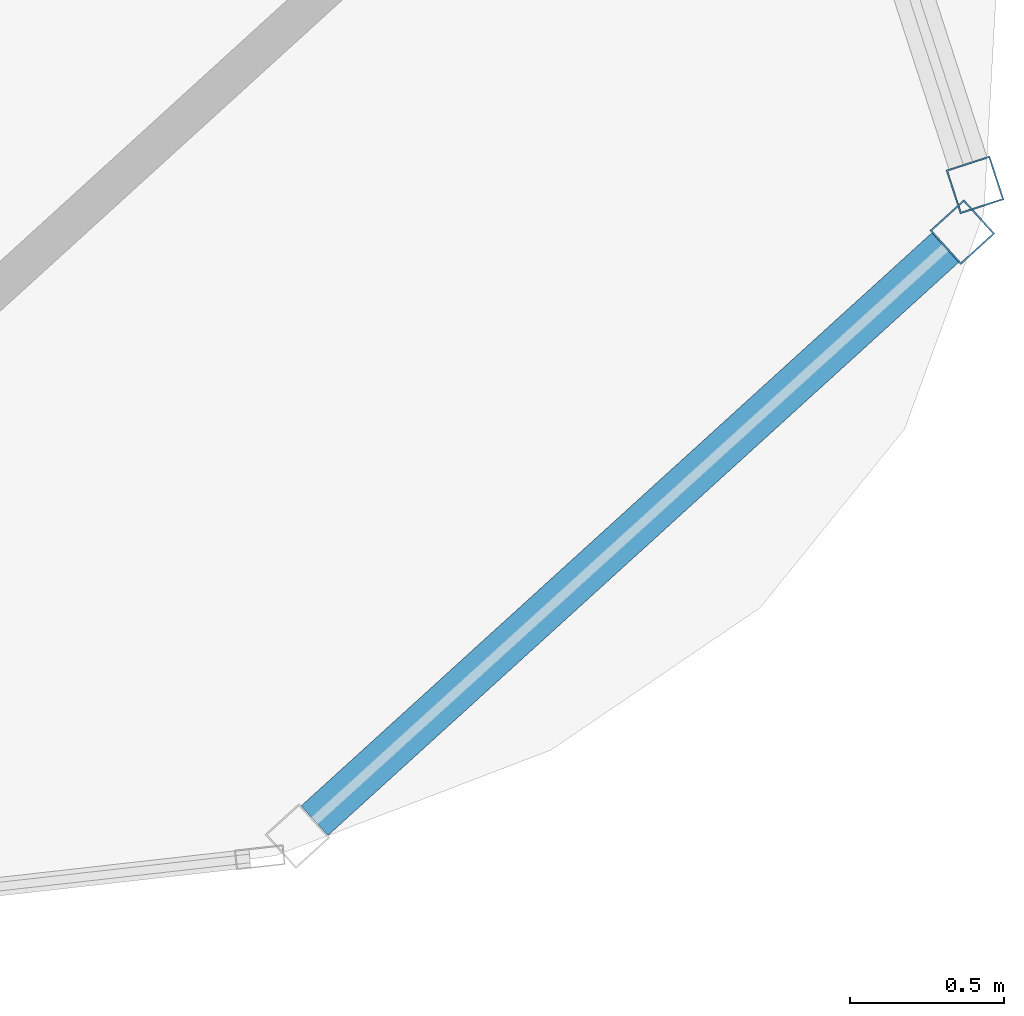
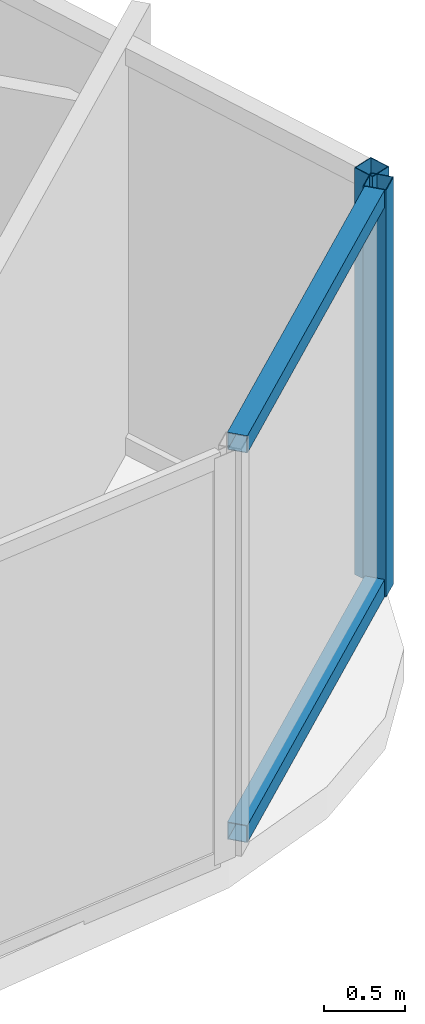
# One storey, part 16 of 33: 4 members, 2 elements without a shape of their own.
"""IFC4 building model written with IfcOpenShell, lengths in metres."""

import ifcopenshell
import ifcopenshell.guid

model = None  # the IFC model being written
_history = None  # IfcOwnerHistory: only IFC2X3 demands one
_inside = {}  # id of a spatial element -> (the spatial element, [elements in it])
_under = {}  # id of a project, library or spatial element -> (it, [spatial elements below it])
_declared = {}  # id of a project -> (the project, [libraries it declares])
_typed = {}  # id of a type object -> (the type object, [elements of that type])
_made_of = {}  # id of a material, layer set ... -> (it, [elements and type objects made of it])


def new_model(schema):
    """Start an empty IFC model of exactly this schema.

    Asked for "IFC4X3", IfcOpenShell would pick the latest addendum, in which some entities
    have other attributes; the version numbers below select the first issue.
    IFC2X3 requires an IfcOwnerHistory on every rooted entity: one is made here for all.
    """
    global model, _history
    if schema == "IFC4X3":
        model = ifcopenshell.file(schema_version=(4, 3, 0, 0))
    else:
        model = ifcopenshell.file(schema=schema)
    _inside.clear()
    _under.clear()
    _declared.clear()
    _typed.clear()
    _made_of.clear()
    _history = None
    if model.schema == "IFC2X3":
        org = make("IfcOrganization", Name="unknown")
        user = make(
            "IfcPersonAndOrganization",
            ThePerson=make("IfcPerson", FamilyName="unknown"),
            TheOrganization=org,
        )
        app = make(
            "IfcApplication",
            ApplicationDeveloper=org,
            Version="unknown",
            ApplicationFullName="unknown",
            ApplicationIdentifier="unknown",
        )
        _history = make(
            "IfcOwnerHistory",
            OwningUser=user,
            OwningApplication=app,
            ChangeAction="ADDED",
            CreationDate=0,
        )
    return model


def make(cls, **values):
    """One entity of the class cls with the attributes given. An attribute that is None is left unset."""
    return model.create_entity(
        cls, **{name: value for name, value in values.items() if value is not None}
    )


def rooted(cls, **values):
    """An entity with a GlobalId (a new one), such as an element, a storey or a relation."""
    return make(cls, GlobalId=ifcopenshell.guid.new(), OwnerHistory=_history, **values)


def si_unit(unit_type, name, prefix=None):
    """IfcSIUnit, for example si_unit("LENGTHUNIT", "METRE", prefix="MILLI")."""
    return make("IfcSIUnit", UnitType=unit_type, Prefix=prefix, Name=name)


def assignment(units):
    """IfcUnitAssignment: the units of a project."""
    return None if units is None else make("IfcUnitAssignment", Units=units)


def point(xyz):
    """IfcCartesianPoint."""
    return None if xyz is None else make("IfcCartesianPoint", Coordinates=xyz)


def direction(xyz):
    """IfcDirection."""
    return None if xyz is None else make("IfcDirection", DirectionRatios=xyz)


def frame(location, z_axis=None, x_axis=None):
    """IfcAxis2Placement3D, a coordinate frame: its origin and axes. An axis left out is left unset."""
    return make(
        "IfcAxis2Placement3D",
        Location=point(location),
        Axis=direction(z_axis),
        RefDirection=direction(x_axis),
    )


def frame_2d(location, x_axis=None):
    """IfcAxis2Placement2D, a coordinate frame in the plane: its origin and x axis."""
    return make(
        "IfcAxis2Placement2D", Location=point(location), RefDirection=direction(x_axis)
    )


def origin():
    """The frame at (0, 0, 0) with its axes left unset."""
    return frame((0.0, 0.0, 0.0))


def origin_2d():
    """The frame at (0, 0) in the plane with its x axis left unset."""
    return frame_2d((0.0, 0.0))


def place(relative_to, where):
    """IfcLocalPlacement: puts the frame where relative to a parent placement (None: the world)."""
    return make(
        "IfcLocalPlacement", PlacementRelTo=relative_to, RelativePlacement=where
    )


def context(
    kind, dimensions, precision=None, world=None, true_north=None, identifier=None
):
    """IfcGeometricRepresentationContext, for example the 3D "Model" context."""
    return make(
        "IfcGeometricRepresentationContext",
        ContextIdentifier=identifier,
        ContextType=kind,
        CoordinateSpaceDimension=dimensions,
        Precision=precision,
        WorldCoordinateSystem=world,
        TrueNorth=true_north,
    )


def subcontext(parent, identifier, kind, view, scale=None):
    """IfcGeometricRepresentationSubContext, for example "Body" below "Model"."""
    return make(
        "IfcGeometricRepresentationSubContext",
        ContextIdentifier=identifier,
        ContextType=kind,
        ParentContext=parent,
        TargetScale=scale,
        TargetView=view,
    )


def project(units=None, contexts=None):
    """IfcProject with its units and contexts."""
    return rooted(
        "IfcProject",
        Name="project",
        RepresentationContexts=contexts,
        UnitsInContext=assignment(units),
    )


def spatial(cls, under=None, at=None, **own):
    """A site, building, storey or space (cls), placed at a placement, below another one or the project."""
    s = rooted(cls, ObjectPlacement=at, **own)
    if under is not None:
        _under.setdefault(under.id(), (under, []))[1].append(s)
    return s


def profile(cls, at=None, kind="AREA", **sizes):
    """A parametric profile (cls). Its sizes go by their IFC names, for example OverallWidth=200.0."""
    return make(cls, ProfileType=kind, Position=at, **sizes)


def hollow_rectangle(**sizes):
    """IfcRectangleHollowProfileDef."""
    return profile("IfcRectangleHollowProfileDef", **sizes)


def extrude(swept, where, along, depth):
    """IfcExtrudedAreaSolid: the profile swept, set in the frame where, extruded along a direction by depth."""
    return make(
        "IfcExtrudedAreaSolid",
        SweptArea=swept,
        Position=where,
        ExtrudedDirection=direction(along),
        Depth=depth,
    )


def shape(context_of_items, identifier, shape_type, items):
    """IfcShapeRepresentation: the items that make up one representation, for example the "Body"."""
    return make(
        "IfcShapeRepresentation",
        ContextOfItems=context_of_items,
        RepresentationIdentifier=identifier,
        RepresentationType=shape_type,
        Items=items,
    )


def material(Name=None, Category=None):
    """IfcMaterial."""
    return make("IfcMaterial", Name=Name, Category=Category)


def layer(
    of_material, thickness, ventilated=None, Name=None, Category=None, Priority=None
):
    """IfcMaterialLayer: one layer of a wall or slab, of a material (None: an air gap)."""
    return make(
        "IfcMaterialLayer",
        Material=of_material,
        LayerThickness=thickness,
        IsVentilated=ventilated,
        Name=Name,
        Category=Category,
        Priority=Priority,
    )


def layer_set(layers, Name=None):
    """IfcMaterialLayerSet."""
    return make("IfcMaterialLayerSet", MaterialLayers=layers, LayerSetName=Name)


def material_profile(
    of_material, cross_section, Name=None, Category=None, Priority=None
):
    """IfcMaterialProfile: a cross section and its material."""
    return make(
        "IfcMaterialProfile",
        Name=Name,
        Material=of_material,
        Profile=cross_section,
        Priority=Priority,
        Category=Category,
    )


def profile_set(profiles, Name=None, composite=None):
    """IfcMaterialProfileSet."""
    return make(
        "IfcMaterialProfileSet",
        Name=Name,
        MaterialProfiles=profiles,
        CompositeProfile=composite,
    )


def made_of(thing, what):
    """Note that an element or type object is made of a material, layer set ...; save() writes the relation."""
    if what is not None:
        _made_of.setdefault(what.id(), (what, []))[1].append(thing)
    return thing


def type_object(cls, material=None, **own):
    """A type object (cls), such as IfcWallType, which elements share."""
    return made_of(rooted(cls, **own), material)


def element(
    cls,
    number,
    at=None,
    inside=None,
    cuts=None,
    type_object=None,
    material=None,
    context=None,
    identifier="Body",
    shape_type=None,
    held_by="IfcProductDefinitionShape",
    body=None,
    shapes=None,
    **own,
):
    """One element of the class cls, such as IfcWall. Its Tag is "e" and its number.

    at: its placement. inside: the storey or other place that contains it. cuts: it is an
    opening in that element (IfcRelVoidsElement). A single representation is given by context,
    identifier, shape_type and body (its items); several are given by shapes. held_by: the class
    of the entity that holds the representations. save() writes the other relations.
    """
    e = rooted(cls, Tag="e%d" % number, ObjectPlacement=at, **own)
    if body is not None:
        shapes = [shape(context, identifier, shape_type, body)]
    if shapes is not None:
        e.Representation = make(held_by, Representations=shapes)
    if inside is not None:
        _inside.setdefault(inside.id(), (inside, []))[1].append(e)
    if cuts is not None:
        rooted(
            "IfcRelVoidsElement", RelatingBuildingElement=cuts, RelatedOpeningElement=e
        )
    if type_object is not None:
        _typed.setdefault(type_object.id(), (type_object, []))[1].append(e)
    return made_of(e, material)


def aggregate(whole, parts):
    """IfcRelAggregates: a whole, such as a stair, and the parts it consists of."""
    return rooted("IfcRelAggregates", RelatingObject=whole, RelatedObjects=parts)


def save(model, path):
    """Write the relations noted so far, then the file.

    IfcRelAggregates (storeys below a building ...), IfcRelContainedInSpatialStructure (elements
    in a storey), IfcRelDefinesByType, IfcRelAssociatesMaterial and IfcRelDeclares: one each for
    every whole, place, type object, material and project.
    """
    for whole, parts in _under.values():
        aggregate(whole, parts)
    for where, things in _inside.values():
        rooted(
            "IfcRelContainedInSpatialStructure",
            RelatedElements=things,
            RelatingStructure=where,
        )
    for kind, things in _typed.values():
        rooted("IfcRelDefinesByType", RelatedObjects=things, RelatingType=kind)
    for what, things in _made_of.values():
        rooted("IfcRelAssociatesMaterial", RelatedObjects=things, RelatingMaterial=what)
    for by, libraries in _declared.values():
        rooted("IfcRelDeclares", RelatingContext=by, RelatedDefinitions=libraries)
    model.write(path)


model = new_model("IFC4")

# Units and contexts
model_context = context("Model", 3, precision=1e-05, world=origin(), true_north=direction((0.0, 1.0)))
body_context = subcontext(model_context, "Body", "Model", "MODEL_VIEW")
ifc_project = project(units=[si_unit("LENGTHUNIT", "METRE"), si_unit("AREAUNIT", "SQUARE_METRE"), si_unit("VOLUMEUNIT", "CUBIC_METRE"), si_unit("PLANEANGLEUNIT", "RADIAN"), si_unit("MASSUNIT", "GRAM", prefix="KILO")], contexts=[model_context])

# Site, building, storey
site_placement = place(None, origin())
site = spatial("IfcSite", under=ifc_project, at=site_placement, CompositionType="ELEMENT")
building_placement = place(site_placement, origin())
building = spatial("IfcBuilding", under=site, at=building_placement, Name="Orvanel Arch Residences", CompositionType="ELEMENT")
storey_placement = place(building_placement, frame((0.0, 0.0, 196.39990234375)))
storey = spatial("IfcBuildingStorey", under=building, at=storey_placement, Name="L55", CompositionType="ELEMENT", Elevation=196.39990234375)

# Curtain wall, member
ifc_material = material(Name="Bronze-anodised aluminium AA6063-T6", Category="aluminium")
ifc_layer = layer(ifc_material, 0.18994140625)
ifc_layer_set = layer_set([ifc_layer], Name="Bronze-anodised aluminium AA6063-T6")
curtain_wall_type = type_object("IfcCurtainWallType", Name="CW5-CRN-SYS", PredefinedType="NOTDEFINED", material=ifc_layer_set)
curtain_wall_1_placement = place(storey_placement, origin())
curtain_wall_1 = element("IfcCurtainWall", 1, at=curtain_wall_1_placement, inside=storey, type_object=curtain_wall_type, Name="L55 CW5-CRN-SYS Unitised Curtain Wall", PredefinedType="NOTDEFINED")
ifc_material_profile_1 = material_profile(ifc_material, hollow_rectangle(XDim=0.14990234375, YDim=0.14990234375, WallThickness=0.0048828125, at=origin_2d()), Name="ALU150x150x5")
ifc_profile_set_1 = profile_set([ifc_material_profile_1], Name="Bronze-anodised aluminium AA6063-T6")
member_type_1 = type_object("IfcMemberType", Name="MUL-150x150", PredefinedType="MULLION", material=ifc_profile_set_1)
member_1_placement = place(storey_placement, frame((56.550537109375, 8.383544921875, 0.0), z_axis=(0.0, 0.0, 1.0), x_axis=(-0.672478543839, 0.740116617889, 0.0)))
member_1 = element("IfcMember", 2, at=member_1_placement, type_object=member_type_1, Name="CW-S5 mullion 2", PredefinedType="MULLION", context=body_context, shape_type="SweptSolid", body=[
    extrude(hollow_rectangle(XDim=0.14990234375, YDim=0.14990234375, WallThickness=0.0048828125, at=origin_2d()), origin(), (0.0, 0.0, 1.0), 3.06005859375),
])

curtain_wall_2_placement = place(storey_placement, origin())
curtain_wall_2 = element("IfcCurtainWall", 3, at=curtain_wall_2_placement, inside=storey, type_object=curtain_wall_type, Name="L55 CW5-CRN-SYS Unitised Curtain Wall", PredefinedType="NOTDEFINED")
member_2_placement = place(storey_placement, frame((56.591796875, 8.537353515625, 0.0), z_axis=(0.0, 0.0, 1.0), x_axis=(-0.951217039439, -0.308522517622, 0.0)))
member_2 = element("IfcMember", 4, at=member_2_placement, type_object=member_type_1, Name="CW-S5 mullion 1", PredefinedType="MULLION", context=body_context, shape_type="SweptSolid", body=[
    extrude(hollow_rectangle(XDim=0.14990234375, YDim=0.14990234375, WallThickness=0.0048828125, at=origin_2d()), origin(), (0.0, 0.0, 1.0), 3.06005859375),
])
aggregate(curtain_wall_2, [member_2])

# Member
ifc_material_profile_2 = material_profile(ifc_material, hollow_rectangle(XDim=0.1298828125, YDim=0.1298828125, WallThickness=0.00439453125, at=origin_2d()), Name="ALU130x130x4.5")
ifc_profile_set_2 = profile_set([ifc_material_profile_2], Name="Bronze-anodised aluminium AA6063-T6")
member_type_2 = type_object("IfcMemberType", Name="TRN-130x130", PredefinedType="USERDEFINED", material=ifc_profile_set_2)
member_3_placement = place(storey_placement, frame((54.44091796875, 6.466796875, 0.065185546875), z_axis=(0.740123158763, 0.672471345012, 0.0), x_axis=(-0.672471345012, 0.740123158763, 0.0)))
member_3 = element("IfcMember", 5, at=member_3_placement, type_object=member_type_2, Name="CW-S5 transom 1.1", ObjectType="TRANSOM", PredefinedType="USERDEFINED", context=body_context, shape_type="SweptSolid", body=[
    extrude(hollow_rectangle(XDim=0.1298828125, YDim=0.1298828125, WallThickness=0.00439453125, at=origin_2d()), origin(), (0.0, 0.0, 1.0), 2.775146484375),
])

member_4_placement = place(storey_placement, frame((54.44091796875, 6.466796875, 2.9951171875), z_axis=(0.740123158763, 0.672471345012, 0.0), x_axis=(-0.672471345012, 0.740123158763, 0.0)))
member_4 = element("IfcMember", 6, at=member_4_placement, type_object=member_type_2, Name="CW-S5 transom 1.2", ObjectType="TRANSOM", PredefinedType="USERDEFINED", context=body_context, shape_type="SweptSolid", body=[
    extrude(hollow_rectangle(XDim=0.1298828125, YDim=0.1298828125, WallThickness=0.00439453125, at=origin_2d()), origin(), (0.0, 0.0, 1.0), 2.775146484375),
])

aggregate(curtain_wall_1, [member_1, member_3, member_4])

save(model, "model.ifc")
